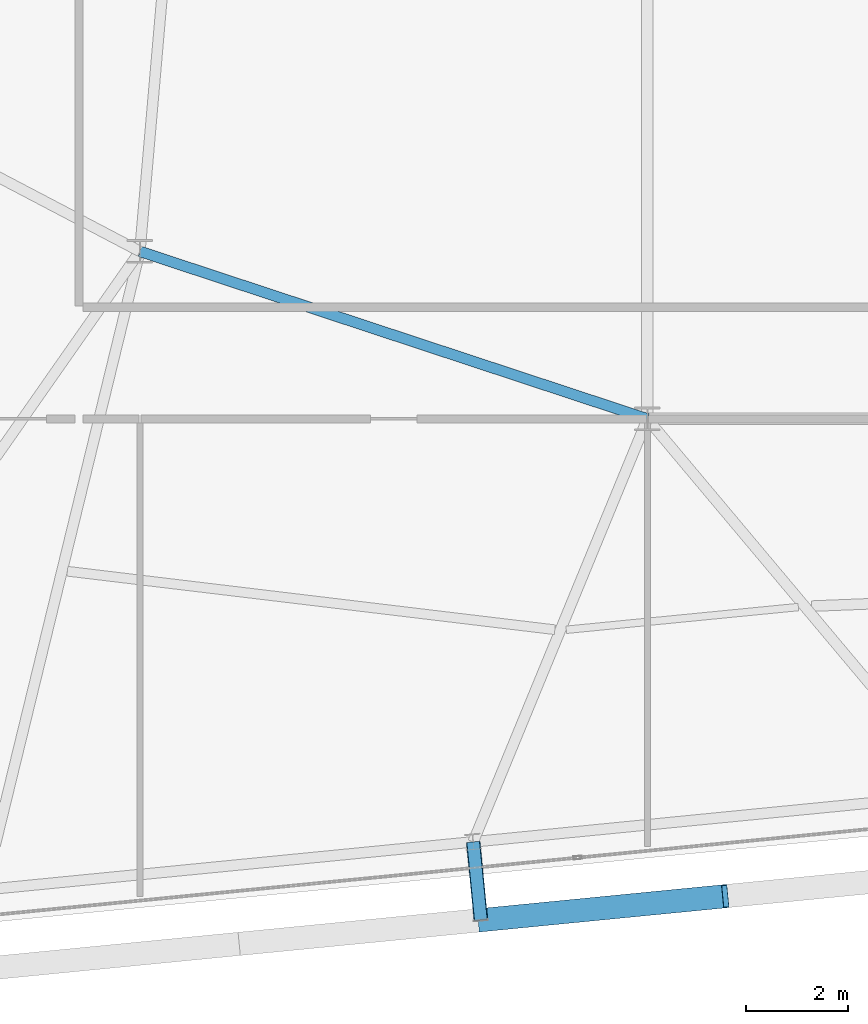
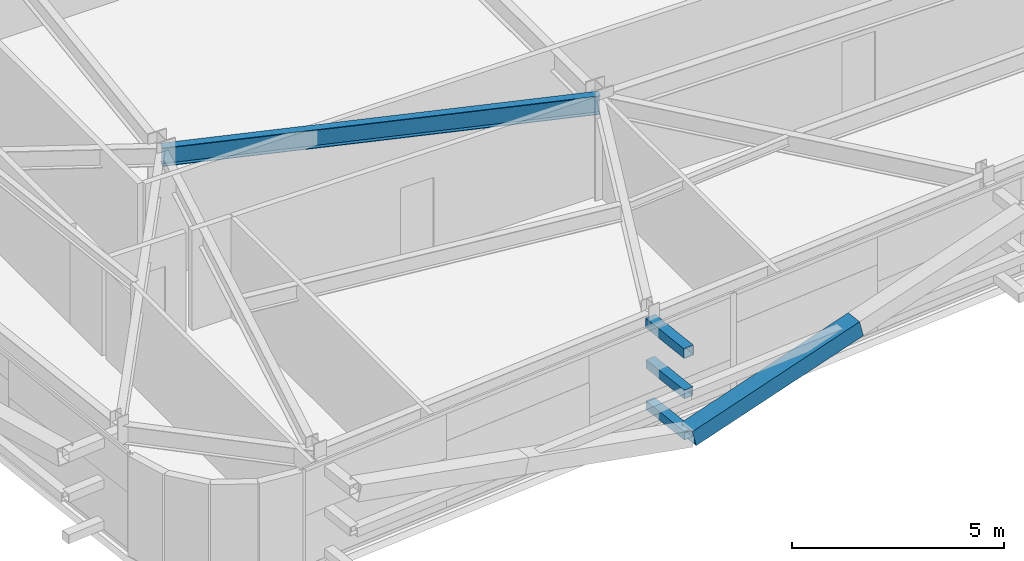
# One storey, part 8 of 47: 4 members, 1 beam.
"""IFC4 building model written with IfcOpenShell, lengths in metres."""

from ifc_helpers import new_model, si_unit, direction, frame, origin, origin_2d, place, context, subcontext, project, spatial, hollow_rectangle, i_section, extrude, source, transform, mapped, material, material_profile, profile_set, type_object, element, save


model = new_model("IFC4")

# Units and contexts
model_context = context("Model", 3, precision=1e-05, world=origin(), true_north=direction((0.0, 1.0)))
body_context = subcontext(model_context, "Body", "Model", "MODEL_VIEW")
ifc_project = project(units=[si_unit("LENGTHUNIT", "METRE"), si_unit("AREAUNIT", "SQUARE_METRE"), si_unit("VOLUMEUNIT", "CUBIC_METRE"), si_unit("PLANEANGLEUNIT", "RADIAN"), si_unit("MASSUNIT", "GRAM", prefix="KILO")], contexts=[model_context])

# Site, building, storey
site_placement = place(None, origin())
site = spatial("IfcSite", under=ifc_project, at=site_placement, CompositionType="ELEMENT")
building_placement = place(site_placement, origin())
building = spatial("IfcBuilding", under=site, at=building_placement, Name="Taldren Reach Tower", CompositionType="ELEMENT")
storey_placement = place(building_placement, frame((0.0, 0.0, 109.199951171875)))
storey = spatial("IfcBuildingStorey", under=building, at=storey_placement, Name="L33", CompositionType="ELEMENT", Elevation=109.199951171875)

# Beam
ifc_material_1 = material(Name="Steel Gr 350 (350PLUS)", Category="steel")
ifc_material_profile_1 = material_profile(ifc_material_1, i_section(OverallWidth=0.208984375, OverallDepth=0.532958984375, WebThickness=0.01025390625, FlangeThickness=0.015625, at=origin_2d()), Name="530UB92.4")
ifc_profile_set_1 = profile_set([ifc_material_profile_1], Name="Steel Gr 350 (350PLUS)")
beam_type = type_object("IfcBeamType", Name="BM-UB530A", PredefinedType="BEAM", material=ifc_profile_set_1)
shared_shape_1 = source(origin(), body_context, "Body", "SweptSolid", [
    extrude(i_section(OverallWidth=0.208984375, OverallDepth=0.532958984375, WebThickness=0.01025390625, FlangeThickness=0.015625, at=origin_2d()), origin(), (0.0, 0.0, 1.0), 10.530517578125),
])
beam_placement = place(storey_placement, frame((18.0, 12.5, 2.603515625), z_axis=(0.949627269203, -0.313381635689, 0.0), x_axis=(0.313381635689, 0.949627269203, 0.0)))
element("IfcBeam", 1, at=beam_placement, inside=storey, type_object=beam_type, Name="Core-spine girder L33-SP10", PredefinedType="BEAM", context=body_context, shape_type="MappedRepresentation", body=[
    mapped(shared_shape_1, transform((0.0, 0.0, 0.0), scale=1.0)),
])

# Members
ifc_material_2 = material(Name="Steel Gr 450 (C450L0)", Category="steel")
ifc_material_profile_2 = material_profile(ifc_material_2, hollow_rectangle(XDim=0.27490234375, YDim=0.27490234375, WallThickness=0.00927734375, at=origin_2d()), Name="275x275x9.3SHS")
ifc_profile_set_2 = profile_set([ifc_material_profile_2], Name="Steel Gr 450 (C450L0)")
member_type_1 = type_object("IfcMemberType", Name="MB-TIE273", PredefinedType="STRUT", material=ifc_profile_set_2)
shared_shape_2 = source(origin(), body_context, "Body", "SweptSolid", [
    extrude(hollow_rectangle(XDim=0.27490234375, YDim=0.27490234375, WallThickness=0.00927734375, at=origin_2d()), origin(), (0.0, 0.0, 1.0), 1.550048828125),
])
member_1_placement = place(storey_placement, frame((24.56787109375, 0.86474609375, 2.590087890625), z_axis=(0.097647892962, -0.9952210252, 0.0), x_axis=(0.9952210252, 0.097647892962, 0.0)))
element("IfcMember", 2, at=member_1_placement, inside=storey, type_object=member_type_1, Name="Exoskeleton diaphragm tie strut B2-S2 L33", PredefinedType="STRUT", context=body_context, shape_type="MappedRepresentation", body=[
    mapped(shared_shape_2, transform((0.0, 0.0, 0.0), scale=1.0)),
])
ifc_material_3 = material(Name="Steel Gr 350 (C350L0)", Category="steel")
ifc_material_profile_3 = material_profile(ifc_material_3, hollow_rectangle(XDim=0.25, YDim=0.25, WallThickness=0.010009765625, at=origin_2d()), Name="250x250x10.0SHS")
ifc_profile_set_3 = profile_set([ifc_material_profile_3], Name="Steel Gr 350 (C350L0)")
member_type_2 = type_object("IfcMemberType", Name="MB-POST250", PredefinedType="POST", material=ifc_profile_set_3)
shared_shape_3 = source(origin(), body_context, "Body", "SweptSolid", [
    extrude(hollow_rectangle(XDim=0.25, YDim=0.25, WallThickness=0.010009765625, at=origin_2d()), origin(), (0.0, 0.0, 1.0), 1.550048828125),
])
for number, where, z_axis, x_axis, name in (
    (3, (24.56787109375, 0.86474609375, 0.219970703125), (0.097647892962, -0.9952210252, 0.0), (0.9952210252, 0.097647892962, 0.0), "Exoskeleton base diaphragm tie strut B2-S2 L33"),
    (4, (24.56787109375, 0.86474609375, 1.405029296875), (0.097647892962, -0.9952210252, 0.0), (0.9952210252, 0.097647892962, 0.0), "Exoskeleton mid-tier diaphragm tie B2-S2 L33"),
):
    element("IfcMember", number, at=place(storey_placement, frame(where, z_axis=z_axis, x_axis=x_axis)), inside=storey, type_object=member_type_2, Name=name, PredefinedType="POST", context=body_context, shape_type="MappedRepresentation", body=[
        mapped(shared_shape_3, transform((0.0, 0.0, 0.0), scale=1.0)),
    ])
ifc_material_profile_4 = material_profile(ifc_material_2, hollow_rectangle(XDim=0.4599609375, YDim=0.4599609375, WallThickness=0.01611328125, at=origin_2d()), Name="460x460x16.0SHS")
ifc_profile_set_4 = profile_set([ifc_material_profile_4], Name="Steel Gr 450 (C450L0)")
member_type_3 = type_object("IfcMemberType", Name="MB-EXO457", PredefinedType="BRACE", material=ifc_profile_set_4)
shared_shape_4 = source(origin(), body_context, "Body", "SweptSolid", [
    extrude(hollow_rectangle(XDim=0.4599609375, YDim=0.4599609375, WallThickness=0.01611328125, at=origin_2d()), origin(), (0.0, 0.0, 1.0), 4.98291015625),
])
member_2_placement = place(storey_placement, frame((24.71923828125, -0.677978515625, 0.219970703125), z_axis=(0.966671000152, 0.094805290689, 0.23782164393), x_axis=(-0.097605711627, 0.995225162995, 0.0)))
element("IfcMember", 5, at=member_2_placement, inside=storey, type_object=member_type_3, Name="Exoskeleton Diagrid Brace B2-S2 L33", PredefinedType="BRACE", context=body_context, shape_type="MappedRepresentation", body=[
    mapped(shared_shape_4, transform((0.0, 0.0, 0.0), scale=1.0)),
])

save(model, "model.ifc")
